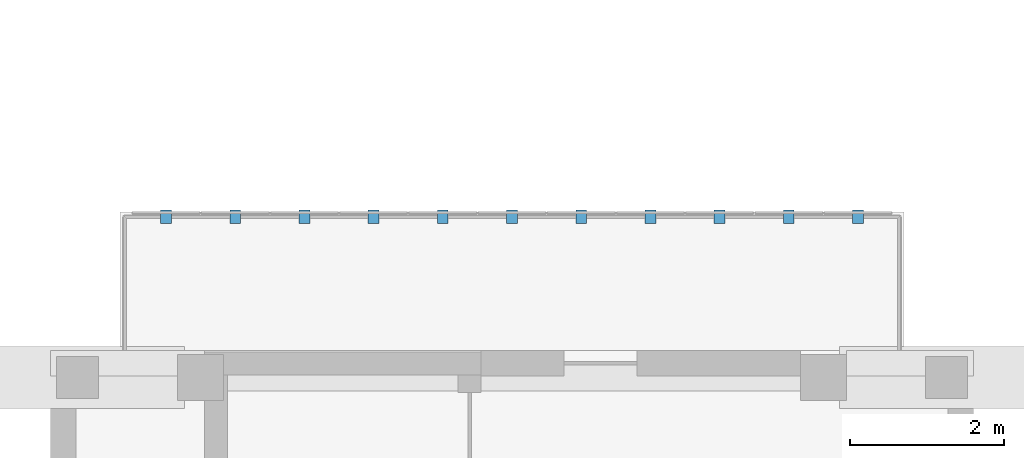
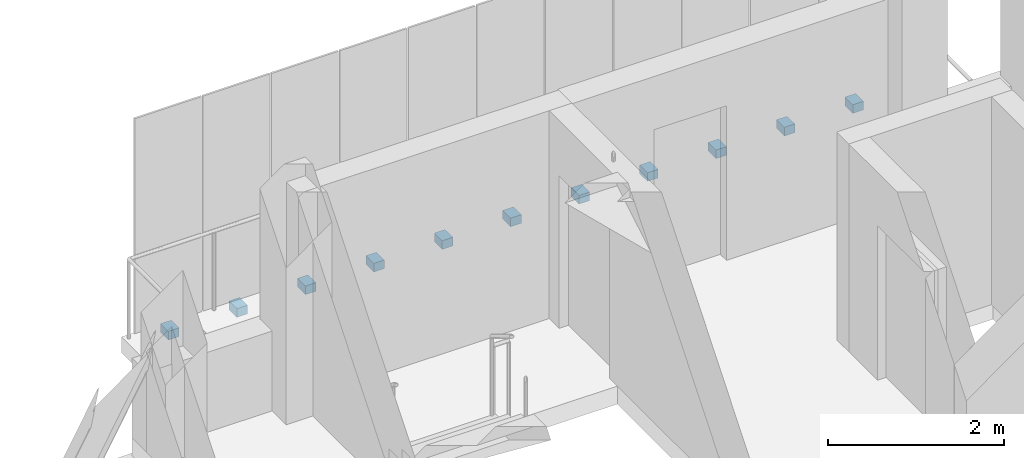
# One storey, part 23 of 34: 11 discrete accessories.
"""IFC4 building model written with IfcOpenShell, lengths in metres."""

import ifcopenshell
import ifcopenshell.guid

model = None  # the IFC model being written
_history = None  # IfcOwnerHistory: only IFC2X3 demands one
_inside = {}  # id of a spatial element -> (the spatial element, [elements in it])
_under = {}  # id of a project, library or spatial element -> (it, [spatial elements below it])
_declared = {}  # id of a project -> (the project, [libraries it declares])
_typed = {}  # id of a type object -> (the type object, [elements of that type])
_made_of = {}  # id of a material, layer set ... -> (it, [elements and type objects made of it])


def new_model(schema):
    """Start an empty IFC model of exactly this schema.

    Asked for "IFC4X3", IfcOpenShell would pick the latest addendum, in which some entities
    have other attributes; the version numbers below select the first issue.
    IFC2X3 requires an IfcOwnerHistory on every rooted entity: one is made here for all.
    """
    global model, _history
    if schema == "IFC4X3":
        model = ifcopenshell.file(schema_version=(4, 3, 0, 0))
    else:
        model = ifcopenshell.file(schema=schema)
    _inside.clear()
    _under.clear()
    _declared.clear()
    _typed.clear()
    _made_of.clear()
    _history = None
    if model.schema == "IFC2X3":
        org = make("IfcOrganization", Name="unknown")
        user = make(
            "IfcPersonAndOrganization",
            ThePerson=make("IfcPerson", FamilyName="unknown"),
            TheOrganization=org,
        )
        app = make(
            "IfcApplication",
            ApplicationDeveloper=org,
            Version="unknown",
            ApplicationFullName="unknown",
            ApplicationIdentifier="unknown",
        )
        _history = make(
            "IfcOwnerHistory",
            OwningUser=user,
            OwningApplication=app,
            ChangeAction="ADDED",
            CreationDate=0,
        )
    return model


def make(cls, **values):
    """One entity of the class cls with the attributes given. An attribute that is None is left unset."""
    return model.create_entity(
        cls, **{name: value for name, value in values.items() if value is not None}
    )


def rooted(cls, **values):
    """An entity with a GlobalId (a new one), such as an element, a storey or a relation."""
    return make(cls, GlobalId=ifcopenshell.guid.new(), OwnerHistory=_history, **values)


def si_unit(unit_type, name, prefix=None):
    """IfcSIUnit, for example si_unit("LENGTHUNIT", "METRE", prefix="MILLI")."""
    return make("IfcSIUnit", UnitType=unit_type, Prefix=prefix, Name=name)


def derived_unit(unit_type, elements):
    """IfcDerivedUnit: a product of units, each with its exponent."""
    return make(
        "IfcDerivedUnit",
        Elements=[
            make("IfcDerivedUnitElement", Unit=unit, Exponent=power)
            for unit, power in elements
        ],
        UnitType=unit_type,
    )


def assignment(units):
    """IfcUnitAssignment: the units of a project."""
    return None if units is None else make("IfcUnitAssignment", Units=units)


def point(xyz):
    """IfcCartesianPoint."""
    return None if xyz is None else make("IfcCartesianPoint", Coordinates=xyz)


def direction(xyz):
    """IfcDirection."""
    return None if xyz is None else make("IfcDirection", DirectionRatios=xyz)


def frame(location, z_axis=None, x_axis=None):
    """IfcAxis2Placement3D, a coordinate frame: its origin and axes. An axis left out is left unset."""
    return make(
        "IfcAxis2Placement3D",
        Location=point(location),
        Axis=direction(z_axis),
        RefDirection=direction(x_axis),
    )


def frame_2d(location, x_axis=None):
    """IfcAxis2Placement2D, a coordinate frame in the plane: its origin and x axis."""
    return make(
        "IfcAxis2Placement2D", Location=point(location), RefDirection=direction(x_axis)
    )


def origin():
    """The frame at (0, 0, 0) with its axes left unset."""
    return frame((0.0, 0.0, 0.0))


def origin_2d():
    """The frame at (0, 0) in the plane with its x axis left unset."""
    return frame_2d((0.0, 0.0))


def place(relative_to, where):
    """IfcLocalPlacement: puts the frame where relative to a parent placement (None: the world)."""
    return make(
        "IfcLocalPlacement", PlacementRelTo=relative_to, RelativePlacement=where
    )


def context(
    kind, dimensions, precision=None, world=None, true_north=None, identifier=None
):
    """IfcGeometricRepresentationContext, for example the 3D "Model" context."""
    return make(
        "IfcGeometricRepresentationContext",
        ContextIdentifier=identifier,
        ContextType=kind,
        CoordinateSpaceDimension=dimensions,
        Precision=precision,
        WorldCoordinateSystem=world,
        TrueNorth=true_north,
    )


def subcontext(parent, identifier, kind, view, scale=None):
    """IfcGeometricRepresentationSubContext, for example "Body" below "Model"."""
    return make(
        "IfcGeometricRepresentationSubContext",
        ContextIdentifier=identifier,
        ContextType=kind,
        ParentContext=parent,
        TargetScale=scale,
        TargetView=view,
    )


def project(units=None, contexts=None):
    """IfcProject with its units and contexts."""
    return rooted(
        "IfcProject",
        Name="project",
        RepresentationContexts=contexts,
        UnitsInContext=assignment(units),
    )


def spatial(cls, under=None, at=None, **own):
    """A site, building, storey or space (cls), placed at a placement, below another one or the project."""
    s = rooted(cls, ObjectPlacement=at, **own)
    if under is not None:
        _under.setdefault(under.id(), (under, []))[1].append(s)
    return s


def profile(cls, at=None, kind="AREA", **sizes):
    """A parametric profile (cls). Its sizes go by their IFC names, for example OverallWidth=200.0."""
    return make(cls, ProfileType=kind, Position=at, **sizes)


def rectangle(**sizes):
    """IfcRectangleProfileDef."""
    return profile("IfcRectangleProfileDef", **sizes)


def extrude(swept, where, along, depth):
    """IfcExtrudedAreaSolid: the profile swept, set in the frame where, extruded along a direction by depth."""
    return make(
        "IfcExtrudedAreaSolid",
        SweptArea=swept,
        Position=where,
        ExtrudedDirection=direction(along),
        Depth=depth,
    )


def shape(context_of_items, identifier, shape_type, items):
    """IfcShapeRepresentation: the items that make up one representation, for example the "Body"."""
    return make(
        "IfcShapeRepresentation",
        ContextOfItems=context_of_items,
        RepresentationIdentifier=identifier,
        RepresentationType=shape_type,
        Items=items,
    )


def material(Name=None, Category=None):
    """IfcMaterial."""
    return make("IfcMaterial", Name=Name, Category=Category)


def made_of(thing, what):
    """Note that an element or type object is made of a material, layer set ...; save() writes the relation."""
    if what is not None:
        _made_of.setdefault(what.id(), (what, []))[1].append(thing)
    return thing


def type_object(cls, material=None, **own):
    """A type object (cls), such as IfcWallType, which elements share."""
    return made_of(rooted(cls, **own), material)


def element(
    cls,
    number,
    at=None,
    inside=None,
    cuts=None,
    type_object=None,
    material=None,
    context=None,
    identifier="Body",
    shape_type=None,
    held_by="IfcProductDefinitionShape",
    body=None,
    shapes=None,
    **own,
):
    """One element of the class cls, such as IfcWall. Its Tag is "e" and its number.

    at: its placement. inside: the storey or other place that contains it. cuts: it is an
    opening in that element (IfcRelVoidsElement). A single representation is given by context,
    identifier, shape_type and body (its items); several are given by shapes. held_by: the class
    of the entity that holds the representations. save() writes the other relations.
    """
    e = rooted(cls, Tag="e%d" % number, ObjectPlacement=at, **own)
    if body is not None:
        shapes = [shape(context, identifier, shape_type, body)]
    if shapes is not None:
        e.Representation = make(held_by, Representations=shapes)
    if inside is not None:
        _inside.setdefault(inside.id(), (inside, []))[1].append(e)
    if cuts is not None:
        rooted(
            "IfcRelVoidsElement", RelatingBuildingElement=cuts, RelatedOpeningElement=e
        )
    if type_object is not None:
        _typed.setdefault(type_object.id(), (type_object, []))[1].append(e)
    return made_of(e, material)


def aggregate(whole, parts):
    """IfcRelAggregates: a whole, such as a stair, and the parts it consists of."""
    return rooted("IfcRelAggregates", RelatingObject=whole, RelatedObjects=parts)


def save(model, path):
    """Write the relations noted so far, then the file.

    IfcRelAggregates (storeys below a building ...), IfcRelContainedInSpatialStructure (elements
    in a storey), IfcRelDefinesByType, IfcRelAssociatesMaterial and IfcRelDeclares: one each for
    every whole, place, type object, material and project.
    """
    for whole, parts in _under.values():
        aggregate(whole, parts)
    for where, things in _inside.values():
        rooted(
            "IfcRelContainedInSpatialStructure",
            RelatedElements=things,
            RelatingStructure=where,
        )
    for kind, things in _typed.values():
        rooted("IfcRelDefinesByType", RelatedObjects=things, RelatingType=kind)
    for what, things in _made_of.values():
        rooted("IfcRelAssociatesMaterial", RelatedObjects=things, RelatingMaterial=what)
    for by, libraries in _declared.values():
        rooted("IfcRelDeclares", RelatingContext=by, RelatedDefinitions=libraries)
    model.write(path)


model = new_model("IFC4")

# Units and contexts
model_context = context("Model", 3, precision=1e-05, world=origin(), true_north=direction((0.0, 1.0)))
body_context = subcontext(model_context, "Body", "Model", "MODEL_VIEW")
ifc_project = project(units=[si_unit("LENGTHUNIT", "METRE"), si_unit("AREAUNIT", "SQUARE_METRE"), si_unit("VOLUMEUNIT", "CUBIC_METRE"), si_unit("PLANEANGLEUNIT", "RADIAN"), si_unit("MASSUNIT", "GRAM", prefix="KILO"), derived_unit("THERMALTRANSMITTANCEUNIT", [(si_unit("MASSUNIT", "GRAM", prefix="KILO"), 1), (si_unit("TIMEUNIT", "SECOND"), -3), (si_unit("THERMODYNAMICTEMPERATUREUNIT", "KELVIN"), -1)])], contexts=[model_context])

# Site, building, storey
site_placement = place(None, origin())
site = spatial("IfcSite", under=ifc_project, at=site_placement, CompositionType="ELEMENT")
building_placement = place(site_placement, origin())
building = spatial("IfcBuilding", under=site, at=building_placement, Name="Ochrekiln Boulevard Commons", CompositionType="ELEMENT")
storey_placement = place(building_placement, frame((0.0, 0.0, 27.824951171875)))
storey = spatial("IfcBuildingStorey", under=building, at=storey_placement, Name="L08", CompositionType="ELEMENT", Elevation=27.824951171875)

# Discrete accessories
ifc_material = material(Name="Steel A992 Grade 50", Category="steel")
discrete_accessory_type = type_object("IfcDiscreteAccessoryType", Name="ACC-BRK-CLEAT", PredefinedType="BRACKET", material=ifc_material)
for number, where, z_axis, x_axis, name in (
    (1, (155.699951171875, 52.139892578125, -0.139892578125), (0.0, 0.0, 1.0), (1.0, 0.0, 0.0), "Bronze Screen Slab-Edge Support Bracket 153"),
    (2, (156.60009765625, 52.139892578125, -0.139892578125), (0.0, 0.0, 1.0), (1.0, 0.0, 0.0), "Bronze Screen Slab-Edge Support Bracket 154"),
    (3, (157.5, 52.139892578125, -0.139892578125), (0.0, 0.0, 1.0), (1.0, 0.0, 0.0), "Bronze Screen Slab-Edge Support Bracket 155"),
    (4, (158.39990234375, 52.139892578125, -0.139892578125), (0.0, 0.0, 1.0), (1.0, 0.0, 0.0), "Bronze Screen Slab-Edge Support Bracket 156"),
    (5, (159.300048828125, 52.139892578125, -0.139892578125), (0.0, 0.0, 1.0), (1.0, 0.0, 0.0), "Bronze Screen Slab-Edge Support Bracket 157"),
    (6, (160.199951171875, 52.139892578125, -0.139892578125), (0.0, 0.0, 1.0), (1.0, 0.0, 0.0), "Bronze Screen Slab-Edge Support Bracket 158"),
    (7, (161.10009765625, 52.139892578125, -0.139892578125), (0.0, 0.0, 1.0), (1.0, 0.0, 0.0), "Bronze Screen Slab-Edge Support Bracket 159"),
    (8, (162.0, 52.139892578125, -0.139892578125), (0.0, 0.0, 1.0), (1.0, 0.0, 0.0), "Bronze Screen Slab-Edge Support Bracket 160"),
    (9, (162.89990234375, 52.139892578125, -0.139892578125), (0.0, 0.0, 1.0), (1.0, 0.0, 0.0), "Bronze Screen Slab-Edge Support Bracket 161"),
    (10, (163.800048828125, 52.139892578125, -0.139892578125), (0.0, 0.0, 1.0), (1.0, 0.0, 0.0), "Bronze Screen Slab-Edge Support Bracket 162"),
    (11, (164.699951171875, 52.139892578125, -0.139892578125), (0.0, 0.0, 1.0), (1.0, 0.0, 0.0), "Bronze Screen Slab-Edge Support Bracket 163"),
):
    element("IfcDiscreteAccessory", number, at=place(storey_placement, frame(where, z_axis=z_axis, x_axis=x_axis)), inside=storey, type_object=discrete_accessory_type, Name=name, PredefinedType="BRACKET", context=body_context, shape_type="SweptSolid", body=[
        extrude(rectangle(XDim=0.139892578125, YDim=0.179931640625, at=origin_2d()), origin(), (0.0, 0.0, 1.0), 0.1201171875),
    ])

save(model, "model.ifc")
